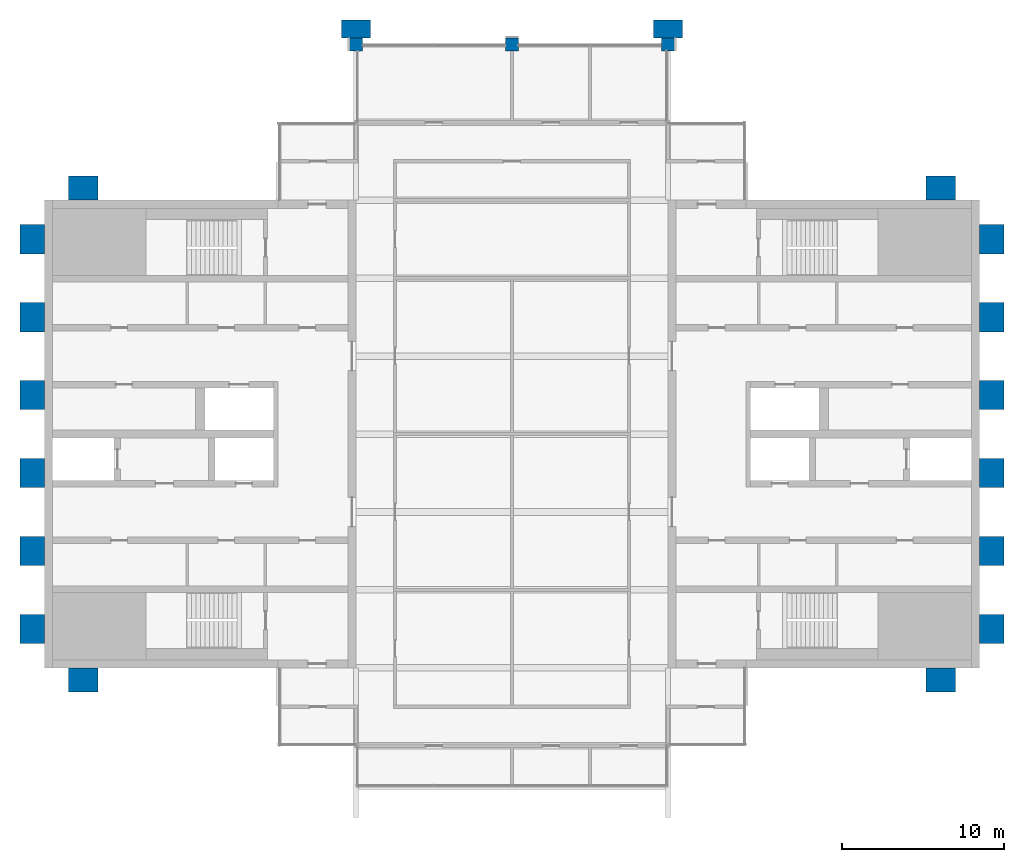
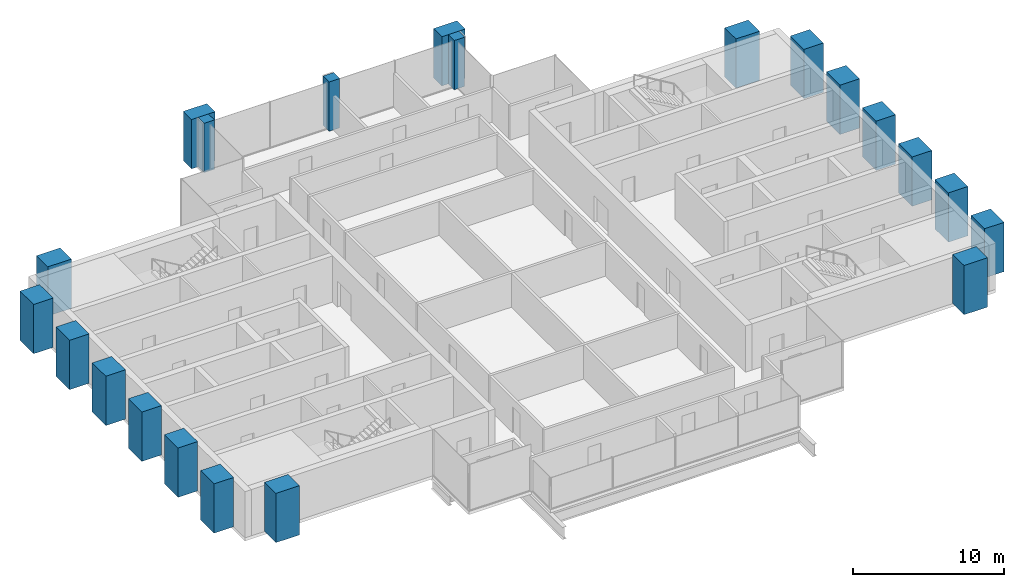
# One storey, part 1 of 12: 21 columns.
"""IFC4 building model written with IfcOpenShell, lengths in metres."""

from ifc_helpers import new_model, si_unit, direction, frame, origin, origin_2d, place, context, subcontext, project, spatial, rectangle, extrude, material, material_profile, profile_set, type_object, element, save


model = new_model("IFC4")

# Units and contexts
model_context = context("Model", 3, precision=1e-05, world=origin(), true_north=direction((0.0, 1.0)))
body_context = subcontext(model_context, "Body", "Model", "MODEL_VIEW")
ifc_project = project(units=[si_unit("LENGTHUNIT", "METRE"), si_unit("AREAUNIT", "SQUARE_METRE"), si_unit("VOLUMEUNIT", "CUBIC_METRE"), si_unit("PLANEANGLEUNIT", "RADIAN"), si_unit("MASSUNIT", "GRAM", prefix="KILO")], contexts=[model_context])

# Site, building, storey
site_placement = place(None, origin())
site = spatial("IfcSite", under=ifc_project, at=site_placement, CompositionType="ELEMENT")
building_placement = place(site_placement, origin())
building = spatial("IfcBuilding", under=site, at=building_placement, Name="Baori Bourse Tower", CompositionType="ELEMENT")
storey_placement = place(building_placement, frame((0.0, 0.0, 362.300048828125)))
storey = spatial("IfcBuildingStorey", under=building, at=storey_placement, Name="L81", CompositionType="ELEMENT", Elevation=362.300048828125)

# Columns
ifc_material_1 = material(Name="Concrete f'c 60 MPa", Category="concrete")
ifc_material_profile_1 = material_profile(ifc_material_1, rectangle(XDim=1.800048828125, YDim=1.10009765625, at=origin_2d()), Name="RC 1800x1100")
ifc_profile_set_1 = profile_set([ifc_material_profile_1], Name="Concrete f'c 60 MPa")
column_type_1 = type_object("IfcColumnType", Name="FN3 Brick pilaster 1800x1100", PredefinedType="PILASTER", material=ifc_profile_set_1)
for number, where, z_axis, x_axis, name in (
    (1, (19.199951171875, 48.949951171875, 0.0), (0.0, 0.0, 1.0), (1.0, 0.0, 0.0), "Brick pilaster L81 17"),
    (2, (38.39990234375, 48.949951171875, 0.0), (0.0, 0.0, 1.0), (1.0, 0.0, 0.0), "Brick pilaster L81 18"),
):
    element("IfcColumn", number, at=place(storey_placement, frame(where, z_axis=z_axis, x_axis=x_axis)), inside=storey, type_object=column_type_1, Name=name, PredefinedType="PILASTER", context=body_context, shape_type="SweptSolid", body=[
        extrude(rectangle(XDim=1.800048828125, YDim=1.10009765625, at=origin_2d()), origin(), (0.0, 0.0, 1.0), 4.0),
    ])
ifc_material_2 = material(Name="Concrete f'c 60 MPa", Category="concrete")
ifc_material_profile_2 = material_profile(ifc_material_2, rectangle(XDim=1.800048828125, YDim=1.5, at=origin_2d()), Name="RC 1800x1500")
ifc_profile_set_2 = profile_set([ifc_material_profile_2], Name="Concrete f'c 60 MPa")
column_type_2 = type_object("IfcColumnType", Name="FN4 Brick flank pilaster 1800x1500", PredefinedType="PILASTER", material=ifc_profile_set_2)
for number, where, z_axis, x_axis, name in (
    (3, (55.199951171875, 8.85009765625, 0.0), (0.0, 0.0, 1.0), (1.0, 0.0, 0.0), "Brick pilaster L81 1"),
    (4, (58.35009765625, 12.0, 0.0), (0.0, 0.0, 1.0), (0.0, 1.0, 0.0), "Brick pilaster L81 2"),
    (5, (58.35009765625, 16.800048828125, 0.0), (0.0, 0.0, 1.0), (0.0, 1.0, 0.0), "Brick pilaster L81 3"),
    (6, (58.35009765625, 21.60009765625, 0.0), (0.0, 0.0, 1.0), (0.0, 1.0, 0.0), "Brick pilaster L81 4"),
    (7, (58.35009765625, 26.39990234375, 0.0), (0.0, 0.0, 1.0), (0.0, 1.0, 0.0), "Brick pilaster L81 5"),
    (8, (58.35009765625, 31.199951171875, 0.0), (0.0, 0.0, 1.0), (0.0, 1.0, 0.0), "Brick pilaster L81 6"),
    (9, (58.35009765625, 36.0, 0.0), (0.0, 0.0, 1.0), (0.0, 1.0, 0.0), "Brick pilaster L81 7"),
    (10, (55.199951171875, 39.14990234375, 0.0), (0.0, 0.0, 1.0), (1.0, 0.0, 0.0), "Brick pilaster L81 8"),
    (11, (2.39990234375, 39.14990234375, 0.0), (0.0, 0.0, 1.0), (1.0, 0.0, 0.0), "Brick pilaster L81 9"),
    (12, (-0.75, 12.0, 0.0), (0.0, 0.0, 1.0), (0.0, 1.0, 0.0), "Brick pilaster L81 10"),
    (13, (-0.75, 16.800048828125, 0.0), (0.0, 0.0, 1.0), (0.0, 1.0, 0.0), "Brick pilaster L81 11"),
    (14, (-0.75, 21.60009765625, 0.0), (0.0, 0.0, 1.0), (0.0, 1.0, 0.0), "Brick pilaster L81 12"),
    (15, (-0.75, 26.39990234375, 0.0), (0.0, 0.0, 1.0), (0.0, 1.0, 0.0), "Brick pilaster L81 13"),
    (16, (-0.75, 31.199951171875, 0.0), (0.0, 0.0, 1.0), (0.0, 1.0, 0.0), "Brick pilaster L81 14"),
    (17, (-0.75, 36.0, 0.0), (0.0, 0.0, 1.0), (0.0, 1.0, 0.0), "Brick pilaster L81 15"),
    (18, (2.39990234375, 8.85009765625, 0.0), (0.0, 0.0, 1.0), (1.0, 0.0, 0.0), "Brick pilaster L81 16"),
):
    element("IfcColumn", number, at=place(storey_placement, frame(where, z_axis=z_axis, x_axis=x_axis)), inside=storey, type_object=column_type_2, Name=name, PredefinedType="PILASTER", context=body_context, shape_type="SweptSolid", body=[
        extrude(rectangle(XDim=1.800048828125, YDim=1.5, at=origin_2d()), origin(), (0.0, 0.0, 1.0), 4.0),
    ])
ifc_material_3 = material(Name="Concrete f'c 40 MPa", Category="concrete")
ifc_material_profile_3 = material_profile(ifc_material_3, rectangle(XDim=0.800048828125, YDim=0.800048828125, at=origin_2d()), Name="RC 800x800")
ifc_profile_set_3 = profile_set([ifc_material_profile_3], Name="Concrete f'c 40 MPa")
column_type_3 = type_object("IfcColumnType", Name="Perimeter column 40 RC 800x800", PredefinedType="COLUMN", material=ifc_profile_set_3)
for number, where, z_axis, x_axis, name in (
    (19, (19.199951171875, 48.0, 0.0), (0.0, 0.0, 1.0), (1.0, 0.0, 0.0), "Perimeter column L81"),
    (20, (28.800048828125, 48.0, 0.0), (0.0, 0.0, 1.0), (1.0, 0.0, 0.0), "Perimeter column L81"),
    (21, (38.39990234375, 48.0, 0.0), (0.0, 0.0, 1.0), (1.0, 0.0, 0.0), "Perimeter column L81"),
):
    element("IfcColumn", number, at=place(storey_placement, frame(where, z_axis=z_axis, x_axis=x_axis)), inside=storey, type_object=column_type_3, Name=name, PredefinedType="COLUMN", context=body_context, shape_type="SweptSolid", body=[
        extrude(rectangle(XDim=0.800048828125, YDim=0.800048828125, at=origin_2d()), origin(), (0.0, 0.0, 1.0), 4.0),
    ])

save(model, "model.ifc")
